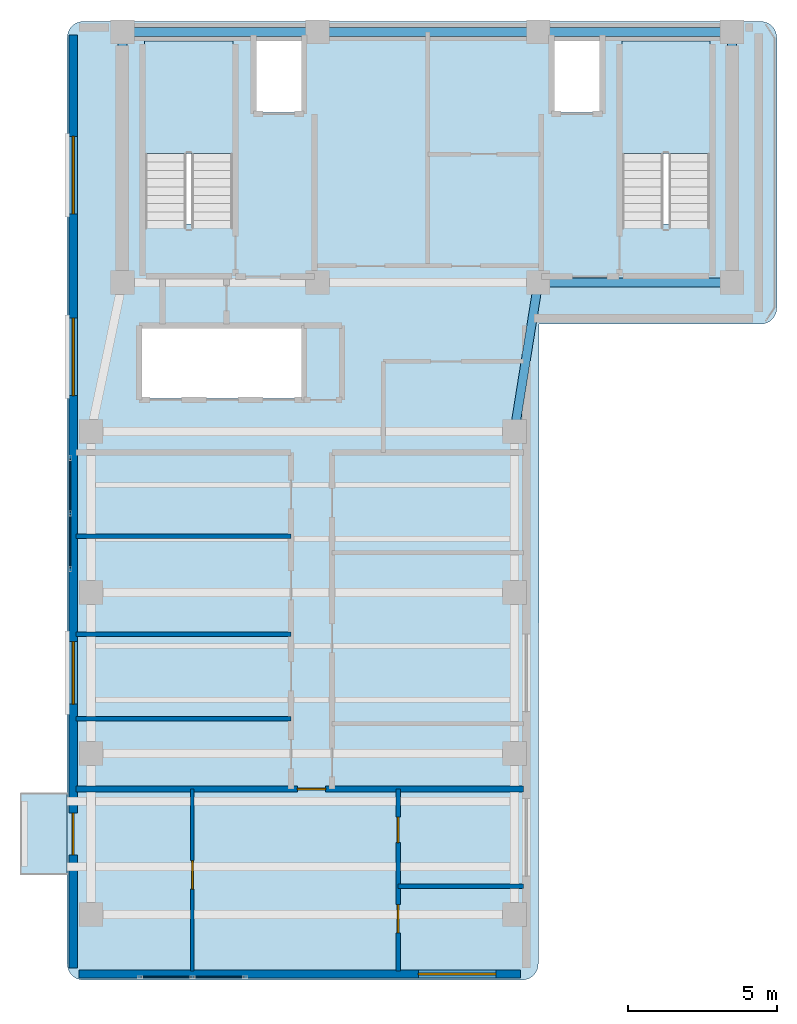
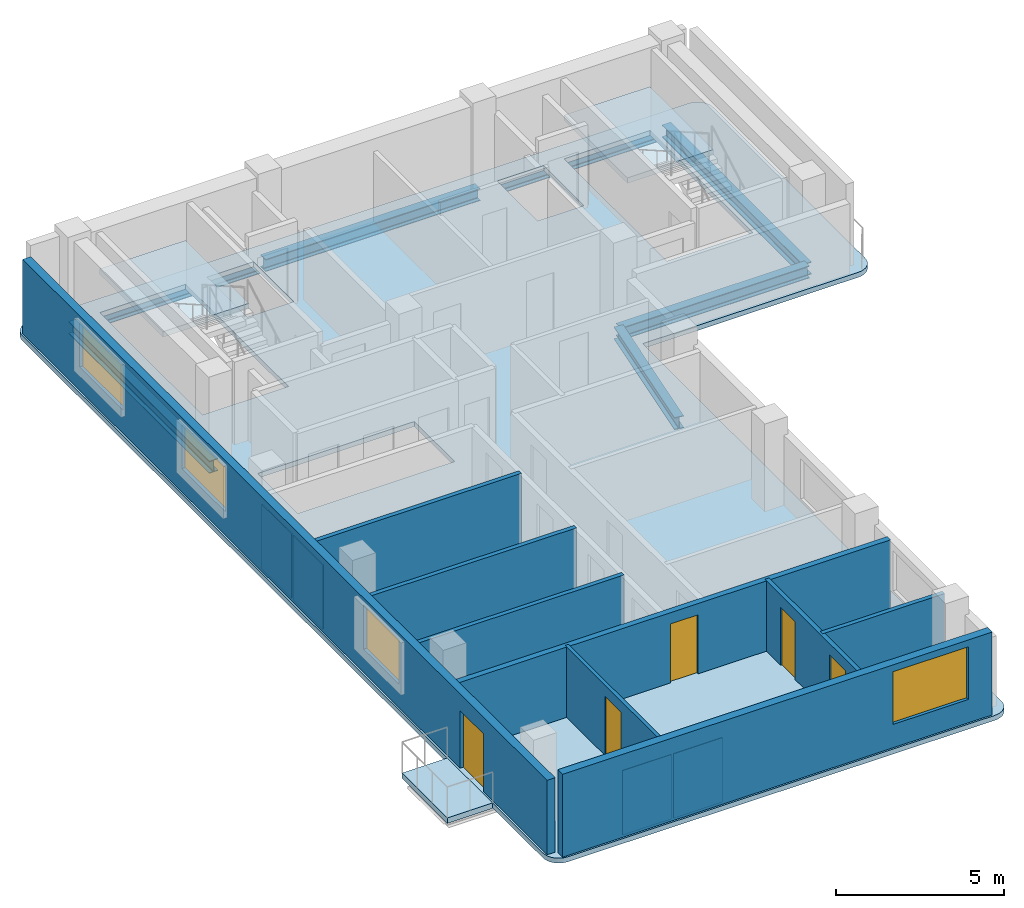
# One storey, part 7 of 11: 9 walls, 7 beams, 5 doors, 4 plates, 4 slabs, 4 windows, 9 openings, 4 elements without a shape of their own.
"""IFC4 building model written with IfcOpenShell, lengths in metres."""

from ifc_helpers import new_model, si_unit, direction, frame, frame_2d, origin, origin_2d, place, context, subcontext, project, spatial, polyline, rectangle, i_section, outline, extrude, material, layer, layer_set, material_profile, profile_set, type_object, element, fill, aggregate, save


model = new_model("IFC4")

# Units and contexts
model_context = context("Model", 3, precision=1e-05, world=origin(), true_north=direction((0.0, 1.0)))
body_context = subcontext(model_context, "Body", "Model", "MODEL_VIEW")
ifc_project = project(units=[si_unit("LENGTHUNIT", "METRE"), si_unit("AREAUNIT", "SQUARE_METRE"), si_unit("VOLUMEUNIT", "CUBIC_METRE"), si_unit("PLANEANGLEUNIT", "RADIAN"), si_unit("MASSUNIT", "GRAM", prefix="KILO")], contexts=[model_context])

# Site, building, storey
site_placement = place(None, origin())
site = spatial("IfcSite", under=ifc_project, at=site_placement, CompositionType="ELEMENT")
building_placement = place(site_placement, origin())
building = spatial("IfcBuilding", under=site, at=building_placement, Name="Kuzgunbayir Cultural Tower", CompositionType="ELEMENT")
storey_placement = place(building_placement, frame((0.0, 0.0, 237.60009765625)))
storey = spatial("IfcBuildingStorey", under=building, at=storey_placement, Name="L70", CompositionType="ELEMENT", Elevation=237.60009765625)

# Beams
ifc_material_1 = material(Name="Steel S355J2", Category="steel")
ifc_material_profile = material_profile(ifc_material_1, i_section(OverallWidth=0.300048828125, OverallDepth=0.449951171875, WebThickness=0.013916015625, FlangeThickness=0.02587890625, FilletRadius=0.027099609375, at=origin_2d()), Name="HEB 450")
ifc_profile_set = profile_set([ifc_material_profile], Name="Steel S355J2")
beam_type = type_object("IfcBeamType", Name="BM-GIR-HEB450", PredefinedType="BEAM", material=ifc_profile_set)
beam_1_placement = place(storey_placement, frame((20.39990234375, 33.800048828125, -0.41015625), z_axis=(1.0, 0.0, 0.0), x_axis=(0.0, 1.0, 0.0)))
element("IfcBeam", 1, at=beam_1_placement, inside=storey, type_object=beam_type, Name="L70 Core South Girder 3", PredefinedType="BEAM", context=body_context, shape_type="SweptSolid", body=[
    extrude(i_section(OverallWidth=0.300048828125, OverallDepth=0.449951171875, WebThickness=0.013916015625, FlangeThickness=0.02587890625, FilletRadius=0.027099609375, at=origin_2d()), origin(), (0.0, 0.0, 1.0), 6.5),
])
beam_2_placement = place(storey_placement, frame((6.449951171875, 42.199951171875, -0.41015625), z_axis=(1.0, 0.0, 0.0), x_axis=(0.0, 1.0, 0.0)))
element("IfcBeam", 2, at=beam_2_placement, inside=storey, type_object=beam_type, Name="L70 Core North Girder 1", PredefinedType="BEAM", context=body_context, shape_type="SweptSolid", body=[
    extrude(i_section(OverallWidth=0.300048828125, OverallDepth=0.449951171875, WebThickness=0.013916015625, FlangeThickness=0.02587890625, FilletRadius=0.027099609375, at=origin_2d()), origin(), (0.0, 0.0, 1.0), 6.550048828125),
])
beam_3_placement = place(storey_placement, frame((13.0, 42.199951171875, -0.41015625), z_axis=(1.0, 0.0, 0.0), x_axis=(0.0, 1.0, 0.0)))
element("IfcBeam", 3, at=beam_3_placement, inside=storey, type_object=beam_type, Name="L70 Core North Girder 2", PredefinedType="BEAM", context=body_context, shape_type="SweptSolid", body=[
    extrude(i_section(OverallWidth=0.300048828125, OverallDepth=0.449951171875, WebThickness=0.013916015625, FlangeThickness=0.02587890625, FilletRadius=0.027099609375, at=origin_2d()), origin(), (0.0, 0.0, 1.0), 7.39990234375),
])
beam_4_placement = place(storey_placement, frame((20.39990234375, 42.199951171875, -0.41015625), z_axis=(1.0, 0.0, 0.0), x_axis=(0.0, 1.0, 0.0)))
element("IfcBeam", 4, at=beam_4_placement, inside=storey, type_object=beam_type, Name="L70 Core North Girder 3", PredefinedType="BEAM", context=body_context, shape_type="SweptSolid", body=[
    extrude(i_section(OverallWidth=0.300048828125, OverallDepth=0.449951171875, WebThickness=0.013916015625, FlangeThickness=0.02587890625, FilletRadius=0.027099609375, at=origin_2d()), origin(), (0.0, 0.0, 1.0), 6.5),
])
for number, where, z_axis, x_axis, name in (
    (5, (6.449951171875, 33.800048828125, -0.41015625), (0.0, 1.0, 0.0), (-1.0, 0.0, 0.0), "L70 Core West Edge Girder"),
    (6, (26.89990234375, 33.800048828125, -0.41015625), (0.0, 1.0, 0.0), (-1.0, 0.0, 0.0), "L70 Core East Edge Girder"),
):
    element("IfcBeam", number, at=place(storey_placement, frame(where, z_axis=z_axis, x_axis=x_axis)), inside=storey, type_object=beam_type, Name=name, PredefinedType="BEAM", context=body_context, shape_type="SweptSolid", body=[
        extrude(i_section(OverallWidth=0.300048828125, OverallDepth=0.449951171875, WebThickness=0.013916015625, FlangeThickness=0.02587890625, FilletRadius=0.027099609375, at=origin_2d()), origin(), (0.0, 0.0, 1.0), 8.39990234375),
    ])
beam_5_placement = place(storey_placement, frame((19.60009765625, 28.800048828125, -0.41015625), z_axis=(0.157952891656, 0.987446648694, 0.0), x_axis=(-0.987446648694, 0.157952891656, 0.0)))
element("IfcBeam", 7, at=beam_5_placement, inside=storey, type_object=beam_type, Name="L70 Wing A East Core Floor Girder", PredefinedType="BEAM", context=body_context, shape_type="SweptSolid", body=[
    extrude(i_section(OverallWidth=0.300048828125, OverallDepth=0.449951171875, WebThickness=0.013916015625, FlangeThickness=0.02587890625, FilletRadius=0.027099609375, at=origin_2d()), origin(), (0.0, 0.0, 1.0), 5.0634765625),
])

# Curtain wall, plates
ifc_material_2 = material(Name="Anodised Aluminium Framing", Category="aluminium")
curtain_wall_type = type_object("IfcCurtainWallType", Name="CW06-OBSERVATORY", PredefinedType="NOTDEFINED", material=ifc_material_2)
curtain_wall_1_placement = place(storey_placement, origin())
curtain_wall_1 = element("IfcCurtainWall", 8, at=curtain_wall_1_placement, inside=storey, type_object=curtain_wall_type, Name="L70 Crown Observatory South Curtain Wall", PredefinedType="NOTDEFINED")
ifc_material_3 = material(Name="Solar-Control Triple Glazing", Category="glass")
ifc_layer_1 = layer(ifc_material_3, 0.035888671875)
ifc_layer_set_1 = layer_set([ifc_layer_1], Name="Solar-Control Triple Glazing")
plate_type = type_object("IfcPlateType", Name="PLT-CW-GLASS-36", PredefinedType="CURTAIN_PANEL", material=ifc_layer_set_1)
plate_1_placement = place(storey_placement, frame((7.918701171875, 10.5, 0.059814453125), z_axis=(0.0, 0.0, 1.0), x_axis=(1.0, 0.0, 0.0)))
plate_1 = element("IfcPlate", 9, at=plate_1_placement, type_object=plate_type, Name="CW06 panel 1.1", PredefinedType="CURTAIN_PANEL", context=body_context, shape_type="SweptSolid", body=[
    extrude(rectangle(XDim=1.6875, YDim=0.035888671875, at=origin_2d()), origin(), (0.0, 0.0, 1.0), 2.35009765625),
])
plate_2_placement = place(storey_placement, frame((9.68115234375, 10.5, 0.059814453125), z_axis=(0.0, 0.0, 1.0), x_axis=(1.0, 0.0, 0.0)))
plate_2 = element("IfcPlate", 10, at=plate_2_placement, type_object=plate_type, Name="CW06 panel 2.1", PredefinedType="CURTAIN_PANEL", context=body_context, shape_type="SweptSolid", body=[
    extrude(rectangle(XDim=1.6875, YDim=0.035888671875, at=origin_2d()), origin(), (0.0, 0.0, 1.0), 2.35009765625),
])
aggregate(curtain_wall_1, [plate_1, plate_2])

curtain_wall_2_placement = place(storey_placement, origin())
curtain_wall_2 = element("IfcCurtainWall", 11, at=curtain_wall_2_placement, inside=storey, type_object=curtain_wall_type, Name="L70 Crown Observatory West Curtain Wall", PredefinedType="NOTDEFINED")
plate_3_placement = place(storey_placement, frame((4.699951171875, 25.11865234375, 0.059814453125), z_axis=(0.0, 0.0, 1.0), x_axis=(0.0, 1.0, 0.0)))
plate_3 = element("IfcPlate", 12, at=plate_3_placement, type_object=plate_type, Name="CW06 panel 1.1", PredefinedType="CURTAIN_PANEL", context=body_context, shape_type="SweptSolid", body=[
    extrude(rectangle(XDim=1.78759765625, YDim=0.035888671875, at=origin_2d()), origin(), (0.0, 0.0, 1.0), 2.35009765625),
])
plate_4_placement = place(storey_placement, frame((4.699951171875, 26.981201171875, 0.059814453125), z_axis=(0.0, 0.0, 1.0), x_axis=(0.0, 1.0, 0.0)))
plate_4 = element("IfcPlate", 13, at=plate_4_placement, type_object=plate_type, Name="CW06 panel 2.1", PredefinedType="CURTAIN_PANEL", context=body_context, shape_type="SweptSolid", body=[
    extrude(rectangle(XDim=1.78759765625, YDim=0.035888671875, at=origin_2d()), origin(), (0.0, 0.0, 1.0), 2.35009765625),
])
aggregate(curtain_wall_2, [plate_3, plate_4])

# Slab
ifc_material_4 = material(Name="Concrete C40/50", Category="concrete")
ifc_layer_2 = layer(ifc_material_4, 0.199951171875)
ifc_layer_set_2 = layer_set([ifc_layer_2], Name="Concrete C40/50")
slab_type_1 = type_object("IfcSlabType", Name="SLB-BAL-STONE", PredefinedType="FLOOR", material=ifc_layer_set_2)
slab_1_placement = place(storey_placement, frame((0.0, 0.0, -0.2001953125)))
element("IfcSlab", 14, at=slab_1_placement, inside=storey, type_object=slab_type_1, Name="L70 Projecting Limestone Balcony BAL-L70-WA1", PredefinedType="FLOOR", context=body_context, shape_type="SweptSolid", body=[
    extrude(outline(polyline([(3.0400390625, 13.949951171875), (4.60009765625, 13.949951171875), (4.60009765625, 16.64990234375), (3.0400390625, 16.64990234375), (3.0400390625, 13.949951171875)])), origin(), (0.0, 0.0, 1.0), 0.2001953125),
])

# Stair, slab
stair_type = type_object("IfcStairType", Name="STR-EXIT-CORE", PredefinedType="HALF_TURN_STAIR", material=ifc_material_4)
stair_1_placement = place(storey_placement, origin())
stair_1 = element("IfcStair", 15, at=stair_1_placement, inside=storey, type_object=stair_type, Name="L70 ST-1", PredefinedType="HALF_TURN_STAIR")
ifc_layer_3 = layer(ifc_material_4, 0.179931640625)
ifc_layer_set_3 = layer_set([ifc_layer_3], Name="Concrete C40/50")
slab_type_2 = type_object("IfcSlabType", Name="SLB-LANDING-180", PredefinedType="LANDING", material=ifc_layer_set_3)
slab_2_placement = place(storey_placement, frame((0.0, 0.0, 1.39990234375)))
slab_2 = element("IfcSlab", 16, at=slab_2_placement, type_object=slab_type_2, Name="ST-1 landing 1", PredefinedType="LANDING", context=body_context, shape_type="SweptSolid", body=[
    extrude(outline(polyline([(10.159912109375, 38.1201171875), (10.159912109375, 41.89990234375), (7.199951171875, 41.89990234375), (7.199951171875, 38.1201171875), (10.159912109375, 38.1201171875)])), origin(), (0.0, 0.0, 1.0), 0.199951171875),
])
aggregate(stair_1, [slab_2])

stair_2_placement = place(storey_placement, origin())
stair_2 = element("IfcStair", 17, at=stair_2_placement, inside=storey, type_object=stair_type, Name="L70 ST-2", PredefinedType="HALF_TURN_STAIR")
slab_3_placement = place(storey_placement, frame((0.0, 0.0, 1.39990234375)))
slab_3 = element("IfcSlab", 18, at=slab_3_placement, type_object=slab_type_2, Name="ST-2 landing 1", PredefinedType="LANDING", context=body_context, shape_type="SweptSolid", body=[
    extrude(outline(polyline([(26.159912109375, 38.1201171875), (26.159912109375, 41.89990234375), (23.199951171875, 41.89990234375), (23.199951171875, 38.1201171875), (26.159912109375, 38.1201171875)])), origin(), (0.0, 0.0, 1.0), 0.199951171875),
])
aggregate(stair_2, [slab_3])

# Slab
ifc_layer_4 = layer(ifc_material_4, 0.179931640625)
ifc_layer_set_4 = layer_set([ifc_layer_4], Name="Concrete C40/50")
slab_type_3 = type_object("IfcSlabType", Name="SLB-TYP-180", PredefinedType="FLOOR", material=ifc_layer_set_4)
slab_4_placement = place(storey_placement, frame((0.0, 0.0, -0.18017578125)))
element("IfcSlab", 19, at=slab_4_placement, inside=storey, type_object=slab_type_3, Name="L70 Tower 1 Floor Slab T1-MAIN", PredefinedType="FLOOR", context=body_context, shape_type="SweptSolid", body=[
    extrude(outline(polyline([(20.39990234375, 10.949951171875), (20.389892578125, 10.840087890625), (20.360107421875, 10.739990234375), (20.31005859375, 10.639892578125), (20.239990234375, 10.56005859375), (20.159912109375, 10.489990234375), (20.06005859375, 10.43994140625), (19.9599609375, 10.409912109375), (19.85009765625, 10.39990234375), (5.14990234375, 10.39990234375), (5.0400390625, 10.409912109375), (4.93994140625, 10.43994140625), (4.840087890625, 10.489990234375), (4.760009765625, 10.56005859375), (4.68994140625, 10.639892578125), (4.639892578125, 10.739990234375), (4.610107421875, 10.840087890625), (4.60009765625, 10.949951171875), (4.60009765625, 42.0), (4.610107421875, 42.110107421875), (4.639892578125, 42.2099609375), (4.68994140625, 42.31005859375), (4.760009765625, 42.389892578125), (4.840087890625, 42.4599609375), (4.93994140625, 42.510009765625), (5.0400390625, 42.5400390625), (5.14990234375, 42.550048828125), (27.85009765625, 42.550048828125), (27.9599609375, 42.5400390625), (28.06005859375, 42.510009765625), (28.159912109375, 42.4599609375), (28.239990234375, 42.389892578125), (28.31005859375, 42.31005859375), (28.360107421875, 42.2099609375), (28.389892578125, 42.110107421875), (28.39990234375, 42.0), (28.39990234375, 32.949951171875), (28.389892578125, 32.840087890625), (28.360107421875, 32.739990234375), (28.31005859375, 32.639892578125), (28.239990234375, 32.56005859375), (28.159912109375, 32.489990234375), (28.06005859375, 32.43994140625), (27.9599609375, 32.409912109375), (27.85009765625, 32.39990234375), (20.429931640625, 32.39990234375), (20.39990234375, 10.949951171875)]), holes=[polyline([(7.199951171875, 35.760009765625), (7.199951171875, 41.89990234375), (10.159912109375, 41.89990234375), (10.159912109375, 35.760009765625), (7.199951171875, 35.760009765625)]), polyline([(23.199951171875, 35.760009765625), (23.199951171875, 41.89990234375), (26.159912109375, 41.89990234375), (26.159912109375, 35.760009765625), (23.199951171875, 35.760009765625)]), polyline([(7.10009765625, 29.89990234375), (7.10009765625, 32.300048828125), (12.5, 32.300048828125), (12.5, 29.89990234375), (7.10009765625, 29.89990234375)]), polyline([(10.89990234375, 39.5), (10.89990234375, 41.89990234375), (12.5, 41.89990234375), (12.5, 39.5), (10.89990234375, 39.5)]), polyline([(20.89990234375, 39.5), (20.89990234375, 41.89990234375), (22.5, 41.89990234375), (22.5, 39.5), (20.89990234375, 39.5)])]), origin(), (0.0, 0.0, 1.0), 0.18017578125),
])

# Wall, opening, window
ifc_material_5 = material(Name="Anatolian Cream Limestone", Category="masonry")
ifc_layer_5 = layer(ifc_material_5, 0.280029296875)
ifc_layer_set_5 = layer_set([ifc_layer_5], Name="Anatolian Cream Limestone")
wall_type_1 = type_object("IfcWallType", Name="WAL-EXT-STONE-280", PredefinedType="STANDARD", material=ifc_layer_set_5)
wall_1_placement = place(storey_placement, frame((5.0, 10.60009765625, 0.0), z_axis=(0.0, 0.0, 1.0), x_axis=(1.0, 0.0, 0.0)))
wall_1 = element("IfcWall", 20, at=wall_1_placement, inside=storey, type_object=wall_type_1, Name="L70 Wing A South Limestone Wall", PredefinedType="STANDARD", context=body_context, shape_type="SweptSolid", body=[
    extrude(rectangle(XDim=14.800048828125, YDim=0.280029296875, at=frame_2d((7.39990234375, 0.0))), origin(), (0.0, 0.0, 1.0), 3.02001953125),
])
opening_1_placement = place(wall_1_placement, frame((11.3798828125, 0.0, 0.85009765625)))
opening_1 = element("IfcOpeningElement", 21, at=opening_1_placement, cuts=wall_1, Name="Opening WK-26", PredefinedType="OPENING", context=body_context, shape_type="SweptSolid", body=[
    extrude(rectangle(XDim=2.60009765625, YDim=1.919921875, at=frame_2d((1.300048828125, 0.9599609375))), frame((0.0, 0.14990234375, 0.0), z_axis=(0.0, -1.0, 0.0), x_axis=(1.0, 0.0, 0.0)), (0.0, 0.0, 1.0), 0.300048828125),
])
window_type_1 = type_object("IfcWindowType", Name="WIN-CROWN-26", PartitioningType="SINGLE_PANEL", PredefinedType="WINDOW", material=ifc_material_3)
window_1_placement = place(opening_1_placement, origin())
window_1 = element("IfcWindow", 22, at=window_1_placement, inside=storey, type_object=window_type_1, Name="L70 WAS Facade Window 1", OverallHeight=1.919921875, OverallWidth=2.60009765625, PartitioningType="SINGLE_PANEL", PredefinedType="WINDOW", context=body_context, shape_type="SweptSolid", body=[
    extrude(rectangle(XDim=2.60009765625, YDim=1.919921875, at=frame_2d((1.300048828125, 0.9599609375))), frame((0.0, 0.030029296875, 0.0), z_axis=(0.0, -1.0, 0.0), x_axis=(1.0, 0.0, 0.0)), (0.0, 0.0, 1.0), 0.06005859375),
])
fill(opening_1, window_1)

# Wall, openings, door, windows
wall_2_placement = place(storey_placement, frame((4.800048828125, 42.10009765625, 0.0), z_axis=(0.0, 0.0, 1.0), x_axis=(0.0, -1.0, 0.0)))
wall_2 = element("IfcWall", 23, at=wall_2_placement, inside=storey, type_object=wall_type_1, Name="L70 Wing A West Limestone Wall", PredefinedType="STANDARD", context=body_context, shape_type="SweptSolid", body=[
    extrude(rectangle(XDim=31.300048828125, YDim=0.280029296875, at=frame_2d((15.64990234375, 0.0))), origin(), (0.0, 0.0, 1.0), 2.7099609375),
])
opening_2_placement = place(wall_2_placement, frame((26.10009765625, 0.0, 0.0)))
opening_2 = element("IfcOpeningElement", 24, at=opening_2_placement, cuts=wall_2, Name="Opening BD-15", PredefinedType="OPENING", context=body_context, shape_type="SweptSolid", body=[
    extrude(rectangle(XDim=1.39990234375, YDim=2.10009765625, at=frame_2d((0.699951171875, 1.050048828125))), frame((0.0, 0.14990234375, 0.0), z_axis=(0.0, -1.0, 0.0), x_axis=(1.0, 0.0, 0.0)), (0.0, 0.0, 1.0), 0.300048828125),
])
opening_3_placement = place(wall_2_placement, frame((20.35009765625, 0.0, 0.85009765625)))
opening_3 = element("IfcOpeningElement", 25, at=opening_3_placement, cuts=wall_2, Name="Opening WR-21", PredefinedType="OPENING", context=body_context, shape_type="SweptSolid", body=[
    extrude(rectangle(XDim=2.10009765625, YDim=1.610107421875, at=frame_2d((1.050048828125, 0.80517578125))), frame((0.0, 0.14990234375, 0.0), z_axis=(0.0, -1.0, 0.0), x_axis=(1.0, 0.0, 0.0)), (0.0, 0.0, 1.0), 0.300048828125),
])
opening_4_placement = place(wall_2_placement, frame((9.5, 0.0, 0.85009765625)))
opening_4 = element("IfcOpeningElement", 26, at=opening_4_placement, cuts=wall_2, Name="Opening WK-26", PredefinedType="OPENING", context=body_context, shape_type="SweptSolid", body=[
    extrude(rectangle(XDim=2.60009765625, YDim=1.610107421875, at=frame_2d((1.300048828125, 0.80517578125))), frame((0.0, 0.14990234375, 0.0), z_axis=(0.0, -1.0, 0.0), x_axis=(1.0, 0.0, 0.0)), (0.0, 0.0, 1.0), 0.300048828125),
])
opening_5_placement = place(wall_2_placement, frame((3.39990234375, 0.0, 0.85009765625)))
opening_5 = element("IfcOpeningElement", 27, at=opening_5_placement, cuts=wall_2, Name="Opening WK-26", PredefinedType="OPENING", context=body_context, shape_type="SweptSolid", body=[
    extrude(rectangle(XDim=2.60009765625, YDim=1.610107421875, at=frame_2d((1.300048828125, 0.80517578125))), frame((0.0, 0.14990234375, 0.0), z_axis=(0.0, -1.0, 0.0), x_axis=(1.0, 0.0, 0.0)), (0.0, 0.0, 1.0), 0.300048828125),
])
ifc_material_6 = material(Name="Thermally Broken Glazed Aluminium", Category="aluminium")
door_type_1 = type_object("IfcDoorType", Name="DR-BALCONY-150", OperationType="SLIDING_TO_RIGHT", PredefinedType="DOOR", material=ifc_material_6)
door_1_placement = place(opening_2_placement, origin())
door_1 = element("IfcDoor", 28, at=door_1_placement, inside=storey, type_object=door_type_1, Name="L70 West Balcony Sliding Door BAL-L70-WA1", OperationType="SLIDING_TO_RIGHT", OverallHeight=2.10009765625, OverallWidth=1.39990234375, PredefinedType="DOOR", context=body_context, shape_type="SweptSolid", body=[
    extrude(rectangle(XDim=1.39990234375, YDim=2.10009765625, at=frame_2d((0.699951171875, 1.050048828125))), frame((0.0, 0.02490234375, 0.0), z_axis=(0.0, -1.0, 0.0), x_axis=(1.0, 0.0, 0.0)), (0.0, 0.0, 1.0), 0.050048828125),
])
fill(opening_2, door_1)
window_2_placement = place(opening_4_placement, origin())
window_2 = element("IfcWindow", 29, at=window_2_placement, inside=storey, type_object=window_type_1, Name="L70 WAW Facade Window 4", OverallHeight=1.610107421875, OverallWidth=2.60009765625, PartitioningType="SINGLE_PANEL", PredefinedType="WINDOW", context=body_context, shape_type="SweptSolid", body=[
    extrude(rectangle(XDim=2.60009765625, YDim=1.610107421875, at=frame_2d((1.300048828125, 0.80517578125))), frame((0.0, 0.030029296875, 0.0), z_axis=(0.0, -1.0, 0.0), x_axis=(1.0, 0.0, 0.0)), (0.0, 0.0, 1.0), 0.06005859375),
])
fill(opening_4, window_2)
window_3_placement = place(opening_5_placement, origin())
window_3 = element("IfcWindow", 30, at=window_3_placement, inside=storey, type_object=window_type_1, Name="L70 WAW Facade Window 5", OverallHeight=1.610107421875, OverallWidth=2.60009765625, PartitioningType="SINGLE_PANEL", PredefinedType="WINDOW", context=body_context, shape_type="SweptSolid", body=[
    extrude(rectangle(XDim=2.60009765625, YDim=1.610107421875, at=frame_2d((1.300048828125, 0.80517578125))), frame((0.0, 0.030029296875, 0.0), z_axis=(0.0, -1.0, 0.0), x_axis=(1.0, 0.0, 0.0)), (0.0, 0.0, 1.0), 0.06005859375),
])
fill(opening_5, window_3)
window_type_2 = type_object("IfcWindowType", Name="WIN-RESID-21", PartitioningType="SINGLE_PANEL", PredefinedType="WINDOW", material=ifc_material_3)
window_4_placement = place(opening_3_placement, origin())
window_4 = element("IfcWindow", 31, at=window_4_placement, inside=storey, type_object=window_type_2, Name="L70 WAW Facade Window 3", OverallHeight=1.610107421875, OverallWidth=2.10009765625, PartitioningType="SINGLE_PANEL", PredefinedType="WINDOW", context=body_context, shape_type="SweptSolid", body=[
    extrude(rectangle(XDim=2.10009765625, YDim=1.610107421875, at=frame_2d((1.050048828125, 0.80517578125))), frame((0.0, 0.030029296875, 0.0), z_axis=(0.0, -1.0, 0.0), x_axis=(1.0, 0.0, 0.0)), (0.0, 0.0, 1.0), 0.06005859375),
])
fill(opening_3, window_4)

# Walls
ifc_material_7 = material(Name="Acoustic Double-Stud Drywall", Category="gypsum")
ifc_layer_6 = layer(ifc_material_7, 0.14990234375)
ifc_layer_set_6 = layer_set([ifc_layer_6], Name="Acoustic Double-Stud Drywall")
wall_type_2 = type_object("IfcWallType", Name="WAL-PART-ACOUSTIC-150", PredefinedType="PARTITIONING", material=ifc_layer_set_6)
for number, where, z_axis, x_axis, name in (
    (32, (4.89990234375, 19.169921875, 0.0), (0.0, 0.0, 1.0), (1.0, 0.0, 0.0), "L70 West Study Partition 1"),
    (33, (4.89990234375, 22.0, 0.0), (0.0, 0.0, 1.0), (1.0, 0.0, 0.0), "L70 West Study Partition 2"),
    (34, (4.89990234375, 25.280029296875, 0.0), (0.0, 0.0, 1.0), (1.0, 0.0, 0.0), "L70 West Study Partition 3"),
):
    element("IfcWall", number, at=place(storey_placement, frame(where, z_axis=z_axis, x_axis=x_axis)), inside=storey, type_object=wall_type_2, Name=name, PredefinedType="PARTITIONING", context=body_context, shape_type="SweptSolid", body=[
        extrude(rectangle(XDim=7.2001953125, YDim=0.14990234375, at=frame_2d((3.60009765625, 0.0))), origin(), (0.0, 0.0, 1.0), 2.559814453125),
    ])

# Wall, opening, door
ifc_material_8 = material(Name="Aerated Concrete Blockwork", Category="masonry")
ifc_layer_7 = layer(ifc_material_8, 0.199951171875)
ifc_layer_set_7 = layer_set([ifc_layer_7], Name="Aerated Concrete Blockwork")
wall_type_3 = type_object("IfcWallType", Name="WAL-PART-FIRE-200", PredefinedType="PARTITIONING", material=ifc_layer_set_7)
wall_3_placement = place(storey_placement, frame((4.89990234375, 16.800048828125, 0.0), z_axis=(0.0, 0.0, 1.0), x_axis=(1.0, 0.0, 0.0)))
wall_3 = element("IfcWall", 35, at=wall_3_placement, inside=storey, type_object=wall_type_3, Name="L70 South Cross Partition", PredefinedType="PARTITIONING", context=body_context, shape_type="SweptSolid", body=[
    extrude(rectangle(XDim=15.0, YDim=0.199951171875, at=frame_2d((7.5, 0.0))), origin(), (0.0, 0.0, 1.0), 2.559814453125),
])
opening_6_placement = place(wall_3_placement, frame((7.419921875, 0.0, 0.0)))
opening_6 = element("IfcOpeningElement", 36, at=opening_6_placement, cuts=wall_3, Name="Opening DR-APT-60", PredefinedType="OPENING", context=body_context, shape_type="SweptSolid", body=[
    extrude(rectangle(XDim=0.949951171875, YDim=2.14990234375, at=frame_2d((0.47509765625, 1.074951171875))), frame((0.0, 0.10986328125, 0.0), z_axis=(0.0, -1.0, 0.0), x_axis=(1.0, 0.0, 0.0)), (0.0, 0.0, 1.0), 0.219970703125),
])
ifc_material_9 = material(Name="Acoustic Fire Timber Leaf", Category="wood")
door_type_2 = type_object("IfcDoorType", Name="DR-APT-60", OperationType="NOTDEFINED", PredefinedType="DOOR", material=ifc_material_9)
door_2_placement = place(opening_6_placement, origin())
door_2 = element("IfcDoor", 37, at=door_2_placement, inside=storey, type_object=door_type_2, Name="L70 Apartment A Entrance", OperationType="SINGLE_SWING_RIGHT", OverallHeight=2.14990234375, OverallWidth=0.949951171875, PredefinedType="DOOR", context=body_context, shape_type="SweptSolid", body=[
    extrude(rectangle(XDim=0.949951171875, YDim=2.14990234375, at=frame_2d((0.47509765625, 1.074951171875))), frame((0.0, 0.02490234375, 0.0), z_axis=(0.0, -1.0, 0.0), x_axis=(1.0, 0.0, 0.0)), (0.0, 0.0, 1.0), 0.050048828125),
])
fill(opening_6, door_2)

ifc_material_10 = material(Name="Framed Gypsum Partition", Category="gypsum")
ifc_layer_8 = layer(ifc_material_10, 0.1201171875)
ifc_layer_set_8 = layer_set([ifc_layer_8], Name="Framed Gypsum Partition")
wall_type_4 = type_object("IfcWallType", Name="WAL-PART-INT-120", PredefinedType="PARTITIONING", material=ifc_layer_set_8)
wall_4_placement = place(storey_placement, frame((8.800048828125, 10.699951171875, 0.0), z_axis=(0.0, 0.0, 1.0), x_axis=(0.0, 1.0, 0.0)))
wall_4 = element("IfcWall", 38, at=wall_4_placement, inside=storey, type_object=wall_type_4, Name="L70 Flat A West Bedroom Wall", PredefinedType="PARTITIONING", context=body_context, shape_type="SweptSolid", body=[
    extrude(rectangle(XDim=6.10009765625, YDim=0.1201171875, at=frame_2d((3.050048828125, 0.0))), origin(), (0.0, 0.0, 1.0), 2.559814453125),
])
opening_7_placement = place(wall_4_placement, frame((2.75, 0.0, 0.0)))
opening_7 = element("IfcOpeningElement", 39, at=opening_7_placement, cuts=wall_4, Name="Opening DI-90", PredefinedType="OPENING", context=body_context, shape_type="SweptSolid", body=[
    extrude(rectangle(XDim=0.949951171875, YDim=2.14990234375, at=frame_2d((0.47509765625, 1.074951171875))), frame((0.0, 0.070068359375, 0.0), z_axis=(0.0, -1.0, 0.0), x_axis=(1.0, 0.0, 0.0)), (0.0, 0.0, 1.0), 0.14013671875),
])
ifc_material_11 = material(Name="Veneered Oak Single Leaf", Category="wood")
door_type_3 = type_object("IfcDoorType", Name="DR-INT-90", OperationType="NOTDEFINED", PredefinedType="DOOR", material=ifc_material_11)
door_3_placement = place(opening_7_placement, origin())
door_3 = element("IfcDoor", 40, at=door_3_placement, inside=storey, type_object=door_type_3, Name="L70 Apartment A Bedroom Door", OperationType="SINGLE_SWING_LEFT", OverallHeight=2.14990234375, OverallWidth=0.949951171875, PredefinedType="DOOR", context=body_context, shape_type="SweptSolid", body=[
    extrude(rectangle(XDim=0.949951171875, YDim=2.14990234375, at=frame_2d((0.47509765625, 1.074951171875))), frame((0.0, 0.02490234375, 0.0), z_axis=(0.0, -1.0, 0.0), x_axis=(1.0, 0.0, 0.0)), (0.0, 0.0, 1.0), 0.050048828125),
])
fill(opening_7, door_3)

# Wall, openings, doors
ifc_material_12 = material(Name="Moisture-Resistant Tile Partition", Category="gypsum")
ifc_layer_9 = layer(ifc_material_12, 0.14990234375)
ifc_layer_set_9 = layer_set([ifc_layer_9], Name="Moisture-Resistant Tile Partition")
wall_type_5 = type_object("IfcWallType", Name="WAL-PART-WET-150", PredefinedType="PARTITIONING", material=ifc_layer_set_9)
wall_5_placement = place(storey_placement, frame((15.699951171875, 10.699951171875, 0.0), z_axis=(0.0, 0.0, 1.0), x_axis=(0.0, 1.0, 0.0)))
wall_5 = element("IfcWall", 41, at=wall_5_placement, inside=storey, type_object=wall_type_5, Name="L70 Flat A East Service Wall", PredefinedType="PARTITIONING", context=body_context, shape_type="SweptSolid", body=[
    extrude(rectangle(XDim=6.10009765625, YDim=0.14990234375, at=frame_2d((3.050048828125, 0.0))), origin(), (0.0, 0.0, 1.0), 2.559814453125),
])
opening_8_placement = place(wall_5_placement, frame((1.280029296875, 0.0, 0.0)))
opening_8 = element("IfcOpeningElement", 42, at=opening_8_placement, cuts=wall_5, Name="Opening DI-90", PredefinedType="OPENING", context=body_context, shape_type="SweptSolid", body=[
    extrude(rectangle(XDim=0.949951171875, YDim=2.14990234375, at=frame_2d((0.47509765625, 1.074951171875))), frame((0.0, 0.0849609375, 0.0), z_axis=(0.0, -1.0, 0.0), x_axis=(1.0, 0.0, 0.0)), (0.0, 0.0, 1.0), 0.169921875),
])
opening_9_placement = place(wall_5_placement, frame((4.31005859375, 0.0, 0.0)))
opening_9 = element("IfcOpeningElement", 43, at=opening_9_placement, cuts=wall_5, Name="Opening DW-85", PredefinedType="OPENING", context=body_context, shape_type="SweptSolid", body=[
    extrude(rectangle(XDim=0.85009765625, YDim=2.10009765625, at=frame_2d((0.425048828125, 1.050048828125))), frame((0.0, 0.0849609375, 0.0), z_axis=(0.0, -1.0, 0.0), x_axis=(1.0, 0.0, 0.0)), (0.0, 0.0, 1.0), 0.169921875),
])
door_4_placement = place(opening_8_placement, origin())
door_4 = element("IfcDoor", 44, at=door_4_placement, inside=storey, type_object=door_type_3, Name="L70 Apartment A Kitchen Door", OperationType="SINGLE_SWING_RIGHT", OverallHeight=2.14990234375, OverallWidth=0.949951171875, PredefinedType="DOOR", context=body_context, shape_type="SweptSolid", body=[
    extrude(rectangle(XDim=0.949951171875, YDim=2.14990234375, at=frame_2d((0.47509765625, 1.074951171875))), frame((0.0, 0.02490234375, 0.0), z_axis=(0.0, -1.0, 0.0), x_axis=(1.0, 0.0, 0.0)), (0.0, 0.0, 1.0), 0.050048828125),
])
fill(opening_8, door_4)
ifc_material_13 = material(Name="Laminate Moisture-Resistant Leaf", Category="wood")
door_type_4 = type_object("IfcDoorType", Name="DR-WET-85", OperationType="NOTDEFINED", PredefinedType="DOOR", material=ifc_material_13)
door_5_placement = place(opening_9_placement, origin())
door_5 = element("IfcDoor", 45, at=door_5_placement, inside=storey, type_object=door_type_4, Name="L70 Apartment A Bathroom Door", OperationType="SINGLE_SWING_LEFT", OverallHeight=2.10009765625, OverallWidth=0.85009765625, PredefinedType="DOOR", context=body_context, shape_type="SweptSolid", body=[
    extrude(rectangle(XDim=0.85009765625, YDim=2.10009765625, at=frame_2d((0.425048828125, 1.050048828125))), frame((0.0, 0.02490234375, 0.0), z_axis=(0.0, -1.0, 0.0), x_axis=(1.0, 0.0, 0.0)), (0.0, 0.0, 1.0), 0.050048828125),
])
fill(opening_9, door_5)

# Wall
wall_6_placement = place(storey_placement, frame((15.699951171875, 13.550048828125, 0.0), z_axis=(0.0, 0.0, 1.0), x_axis=(1.0, 0.0, 0.0)))
element("IfcWall", 46, at=wall_6_placement, inside=storey, type_object=wall_type_5, Name="L70 Flat A Bath Kitchen Divider", PredefinedType="PARTITIONING", context=body_context, shape_type="SweptSolid", body=[
    extrude(rectangle(XDim=4.199951171875, YDim=0.14990234375, at=frame_2d((2.10009765625, 0.0))), origin(), (0.0, 0.0, 1.0), 2.559814453125),
])

save(model, "model.ifc")
